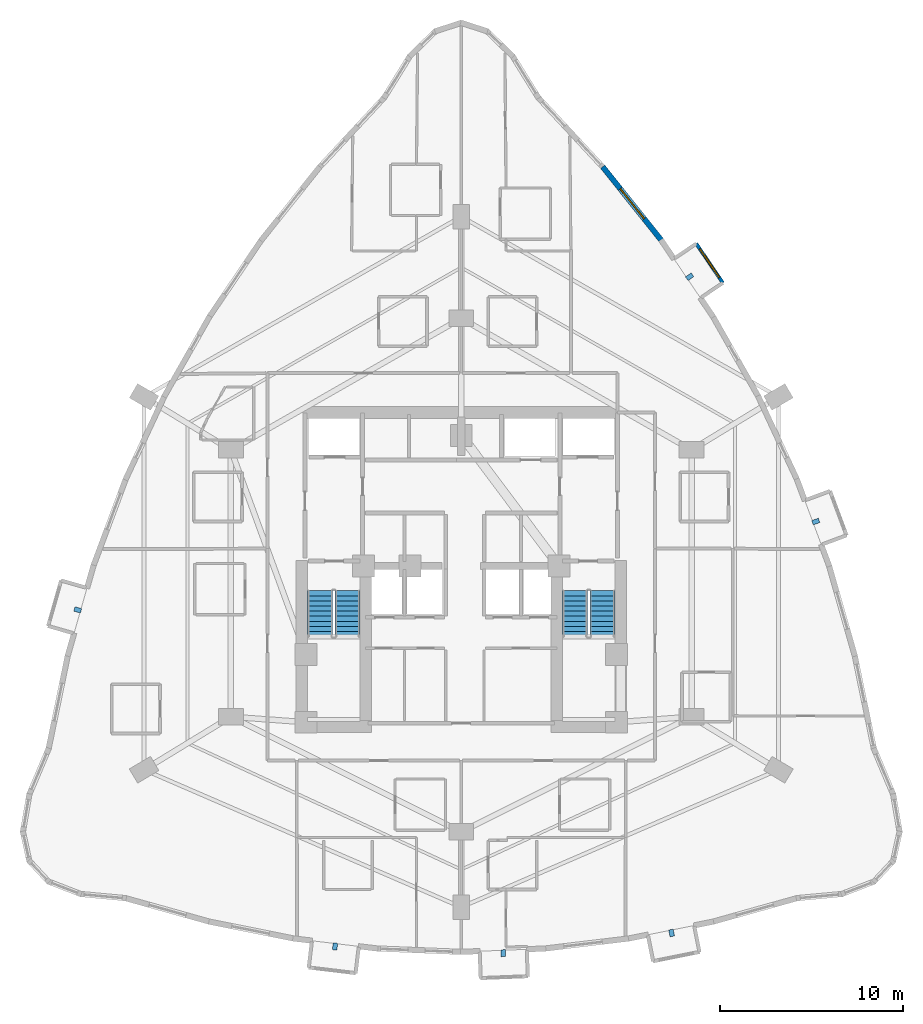
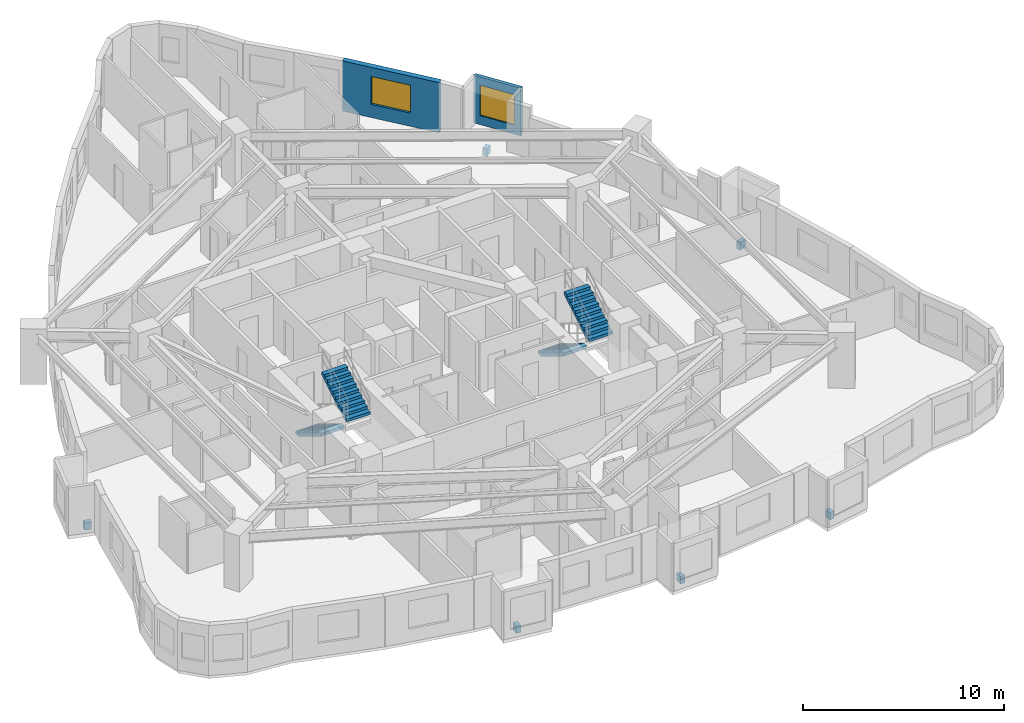
# One storey, part 12 of 13: 6 discrete accessories, 4 stair flights, 2 walls, 2 windows, 2 openings, 2 elements without a shape of their own.
"""IFC4 building model written with IfcOpenShell, lengths in metres."""

import ifcopenshell
import ifcopenshell.guid

model = None  # the IFC model being written
_history = None  # IfcOwnerHistory: only IFC2X3 demands one
_inside = {}  # id of a spatial element -> (the spatial element, [elements in it])
_under = {}  # id of a project, library or spatial element -> (it, [spatial elements below it])
_declared = {}  # id of a project -> (the project, [libraries it declares])
_typed = {}  # id of a type object -> (the type object, [elements of that type])
_made_of = {}  # id of a material, layer set ... -> (it, [elements and type objects made of it])


def new_model(schema):
    """Start an empty IFC model of exactly this schema.

    Asked for "IFC4X3", IfcOpenShell would pick the latest addendum, in which some entities
    have other attributes; the version numbers below select the first issue.
    IFC2X3 requires an IfcOwnerHistory on every rooted entity: one is made here for all.
    """
    global model, _history
    if schema == "IFC4X3":
        model = ifcopenshell.file(schema_version=(4, 3, 0, 0))
    else:
        model = ifcopenshell.file(schema=schema)
    _inside.clear()
    _under.clear()
    _declared.clear()
    _typed.clear()
    _made_of.clear()
    _history = None
    if model.schema == "IFC2X3":
        org = make("IfcOrganization", Name="unknown")
        user = make(
            "IfcPersonAndOrganization",
            ThePerson=make("IfcPerson", FamilyName="unknown"),
            TheOrganization=org,
        )
        app = make(
            "IfcApplication",
            ApplicationDeveloper=org,
            Version="unknown",
            ApplicationFullName="unknown",
            ApplicationIdentifier="unknown",
        )
        _history = make(
            "IfcOwnerHistory",
            OwningUser=user,
            OwningApplication=app,
            ChangeAction="ADDED",
            CreationDate=0,
        )
    return model


def make(cls, **values):
    """One entity of the class cls with the attributes given. An attribute that is None is left unset."""
    return model.create_entity(
        cls, **{name: value for name, value in values.items() if value is not None}
    )


def rooted(cls, **values):
    """An entity with a GlobalId (a new one), such as an element, a storey or a relation."""
    return make(cls, GlobalId=ifcopenshell.guid.new(), OwnerHistory=_history, **values)


def si_unit(unit_type, name, prefix=None):
    """IfcSIUnit, for example si_unit("LENGTHUNIT", "METRE", prefix="MILLI")."""
    return make("IfcSIUnit", UnitType=unit_type, Prefix=prefix, Name=name)


def assignment(units):
    """IfcUnitAssignment: the units of a project."""
    return None if units is None else make("IfcUnitAssignment", Units=units)


def point(xyz):
    """IfcCartesianPoint."""
    return None if xyz is None else make("IfcCartesianPoint", Coordinates=xyz)


def direction(xyz):
    """IfcDirection."""
    return None if xyz is None else make("IfcDirection", DirectionRatios=xyz)


def frame(location, z_axis=None, x_axis=None):
    """IfcAxis2Placement3D, a coordinate frame: its origin and axes. An axis left out is left unset."""
    return make(
        "IfcAxis2Placement3D",
        Location=point(location),
        Axis=direction(z_axis),
        RefDirection=direction(x_axis),
    )


def frame_2d(location, x_axis=None):
    """IfcAxis2Placement2D, a coordinate frame in the plane: its origin and x axis."""
    return make(
        "IfcAxis2Placement2D", Location=point(location), RefDirection=direction(x_axis)
    )


def origin():
    """The frame at (0, 0, 0) with its axes left unset."""
    return frame((0.0, 0.0, 0.0))


def origin_2d():
    """The frame at (0, 0) in the plane with its x axis left unset."""
    return frame_2d((0.0, 0.0))


def place(relative_to, where):
    """IfcLocalPlacement: puts the frame where relative to a parent placement (None: the world)."""
    return make(
        "IfcLocalPlacement", PlacementRelTo=relative_to, RelativePlacement=where
    )


def context(
    kind, dimensions, precision=None, world=None, true_north=None, identifier=None
):
    """IfcGeometricRepresentationContext, for example the 3D "Model" context."""
    return make(
        "IfcGeometricRepresentationContext",
        ContextIdentifier=identifier,
        ContextType=kind,
        CoordinateSpaceDimension=dimensions,
        Precision=precision,
        WorldCoordinateSystem=world,
        TrueNorth=true_north,
    )


def subcontext(parent, identifier, kind, view, scale=None):
    """IfcGeometricRepresentationSubContext, for example "Body" below "Model"."""
    return make(
        "IfcGeometricRepresentationSubContext",
        ContextIdentifier=identifier,
        ContextType=kind,
        ParentContext=parent,
        TargetScale=scale,
        TargetView=view,
    )


def project(units=None, contexts=None):
    """IfcProject with its units and contexts."""
    return rooted(
        "IfcProject",
        Name="project",
        RepresentationContexts=contexts,
        UnitsInContext=assignment(units),
    )


def spatial(cls, under=None, at=None, **own):
    """A site, building, storey or space (cls), placed at a placement, below another one or the project."""
    s = rooted(cls, ObjectPlacement=at, **own)
    if under is not None:
        _under.setdefault(under.id(), (under, []))[1].append(s)
    return s


def polyline(points):
    """IfcPolyline through the points."""
    return make("IfcPolyline", Points=[point(p) for p in points])


def profile(cls, at=None, kind="AREA", **sizes):
    """A parametric profile (cls). Its sizes go by their IFC names, for example OverallWidth=200.0."""
    return make(cls, ProfileType=kind, Position=at, **sizes)


def rectangle(**sizes):
    """IfcRectangleProfileDef."""
    return profile("IfcRectangleProfileDef", **sizes)


def outline(outer, holes=None, kind="AREA"):
    """IfcArbitraryClosedProfileDef: a profile drawn as a closed curve; with holes, ...WithVoids."""
    if holes is None:
        return make("IfcArbitraryClosedProfileDef", ProfileType=kind, OuterCurve=outer)
    return make(
        "IfcArbitraryProfileDefWithVoids",
        ProfileType=kind,
        OuterCurve=outer,
        InnerCurves=holes,
    )


def extrude(swept, where, along, depth):
    """IfcExtrudedAreaSolid: the profile swept, set in the frame where, extruded along a direction by depth."""
    return make(
        "IfcExtrudedAreaSolid",
        SweptArea=swept,
        Position=where,
        ExtrudedDirection=direction(along),
        Depth=depth,
    )


def shape(context_of_items, identifier, shape_type, items):
    """IfcShapeRepresentation: the items that make up one representation, for example the "Body"."""
    return make(
        "IfcShapeRepresentation",
        ContextOfItems=context_of_items,
        RepresentationIdentifier=identifier,
        RepresentationType=shape_type,
        Items=items,
    )


def material(Name=None, Category=None):
    """IfcMaterial."""
    return make("IfcMaterial", Name=Name, Category=Category)


def layer(
    of_material, thickness, ventilated=None, Name=None, Category=None, Priority=None
):
    """IfcMaterialLayer: one layer of a wall or slab, of a material (None: an air gap)."""
    return make(
        "IfcMaterialLayer",
        Material=of_material,
        LayerThickness=thickness,
        IsVentilated=ventilated,
        Name=Name,
        Category=Category,
        Priority=Priority,
    )


def layer_set(layers, Name=None):
    """IfcMaterialLayerSet."""
    return make("IfcMaterialLayerSet", MaterialLayers=layers, LayerSetName=Name)


def made_of(thing, what):
    """Note that an element or type object is made of a material, layer set ...; save() writes the relation."""
    if what is not None:
        _made_of.setdefault(what.id(), (what, []))[1].append(thing)
    return thing


def type_object(cls, material=None, **own):
    """A type object (cls), such as IfcWallType, which elements share."""
    return made_of(rooted(cls, **own), material)


def element(
    cls,
    number,
    at=None,
    inside=None,
    cuts=None,
    type_object=None,
    material=None,
    context=None,
    identifier="Body",
    shape_type=None,
    held_by="IfcProductDefinitionShape",
    body=None,
    shapes=None,
    **own,
):
    """One element of the class cls, such as IfcWall. Its Tag is "e" and its number.

    at: its placement. inside: the storey or other place that contains it. cuts: it is an
    opening in that element (IfcRelVoidsElement). A single representation is given by context,
    identifier, shape_type and body (its items); several are given by shapes. held_by: the class
    of the entity that holds the representations. save() writes the other relations.
    """
    e = rooted(cls, Tag="e%d" % number, ObjectPlacement=at, **own)
    if body is not None:
        shapes = [shape(context, identifier, shape_type, body)]
    if shapes is not None:
        e.Representation = make(held_by, Representations=shapes)
    if inside is not None:
        _inside.setdefault(inside.id(), (inside, []))[1].append(e)
    if cuts is not None:
        rooted(
            "IfcRelVoidsElement", RelatingBuildingElement=cuts, RelatedOpeningElement=e
        )
    if type_object is not None:
        _typed.setdefault(type_object.id(), (type_object, []))[1].append(e)
    return made_of(e, material)


def fill(opening, filler):
    """IfcRelFillsElement: the door or window that sits in an opening."""
    return rooted(
        "IfcRelFillsElement",
        RelatingOpeningElement=opening,
        RelatedBuildingElement=filler,
    )


def aggregate(whole, parts):
    """IfcRelAggregates: a whole, such as a stair, and the parts it consists of."""
    return rooted("IfcRelAggregates", RelatingObject=whole, RelatedObjects=parts)


def save(model, path):
    """Write the relations noted so far, then the file.

    IfcRelAggregates (storeys below a building ...), IfcRelContainedInSpatialStructure (elements
    in a storey), IfcRelDefinesByType, IfcRelAssociatesMaterial and IfcRelDeclares: one each for
    every whole, place, type object, material and project.
    """
    for whole, parts in _under.values():
        aggregate(whole, parts)
    for where, things in _inside.values():
        rooted(
            "IfcRelContainedInSpatialStructure",
            RelatedElements=things,
            RelatingStructure=where,
        )
    for kind, things in _typed.values():
        rooted("IfcRelDefinesByType", RelatedObjects=things, RelatingType=kind)
    for what, things in _made_of.values():
        rooted("IfcRelAssociatesMaterial", RelatedObjects=things, RelatingMaterial=what)
    for by, libraries in _declared.values():
        rooted("IfcRelDeclares", RelatingContext=by, RelatedDefinitions=libraries)
    model.write(path)


model = new_model("IFC4")

# Units and contexts
model_context = context("Model", 3, precision=1e-05, world=origin(), true_north=direction((0.0, 1.0)))
body_context = subcontext(model_context, "Body", "Model", "MODEL_VIEW")
ifc_project = project(units=[si_unit("LENGTHUNIT", "METRE"), si_unit("AREAUNIT", "SQUARE_METRE"), si_unit("VOLUMEUNIT", "CUBIC_METRE"), si_unit("PLANEANGLEUNIT", "RADIAN"), si_unit("MASSUNIT", "GRAM", prefix="KILO")], contexts=[model_context])

# Site, building, storey
site_placement = place(None, origin())
site = spatial("IfcSite", under=ifc_project, at=site_placement, CompositionType="ELEMENT")
building_placement = place(site_placement, origin())
building = spatial("IfcBuilding", under=site, at=building_placement, Name="Miruveldt Soraemaru", CompositionType="ELEMENT")
storey_placement = place(building_placement, frame((0.0, 0.0, 87.0)))
storey = spatial("IfcBuildingStorey", under=building, at=storey_placement, Name="L24", CompositionType="ELEMENT", Elevation=87.0)

# Wall, opening, window
ifc_material_1 = material(Name="White powder-coated aluminium EN AW-6060 T6", Category="aluminium")
ifc_layer_1 = layer(ifc_material_1, 0.18994140625, Name="White powder-coated aluminium EN AW-6060 T6", Category="aluminium")
ifc_layer_set_1 = layer_set([ifc_layer_1], Name="White powder-coated aluminium EN AW-6060 T6")
wall_type_1 = type_object("IfcWallType", Name="WALL-BAY-ALU190", PredefinedType="SOLIDWALL", material=ifc_layer_set_1)
wall_1_placement = place(storey_placement, frame((58.317626953125, 59.539794921875, 0.0), z_axis=(0.0, 0.0, 1.0), x_axis=(-0.560752637113, 0.827983381458, 0.0)))
wall_1 = element("IfcWall", 1, at=wall_1_placement, inside=storey, type_object=wall_type_1, Name="L24 Bay Window Front Frame 6", PredefinedType="SOLIDWALL", context=body_context, shape_type="SweptSolid", body=[
    extrude(rectangle(XDim=2.60009765625, YDim=0.18994140625, at=frame_2d((1.300048828125, 0.0))), origin(), (0.0, 0.0, 1.0), 2.89990234375),
])
opening_1_placement = place(wall_1_placement, frame((0.35009765625, 0.0, 0.550048828125)))
opening_1 = element("IfcOpeningElement", 2, at=opening_1_placement, cuts=wall_1, Name="Opening WN-6", PredefinedType="OPENING", context=body_context, shape_type="SweptSolid", body=[
    extrude(rectangle(XDim=1.89990234375, YDim=1.85009765625, at=frame_2d((0.949951171875, 0.925048828125))), frame((0.0, 0.10498046875, 0.0), z_axis=(0.0, -1.0, 0.0), x_axis=(1.0, 0.0, 0.0)), (0.0, 0.0, 1.0), 0.2099609375),
])
ifc_material_2 = material(Name="Triple low-e insulated glazing", Category="glass")
window_type_1 = type_object("IfcWindowType", Name="WIN-BAYW-1900x1850", PartitioningType="SINGLE_PANEL", PredefinedType="WINDOW", material=ifc_material_2)
window_1_placement = place(opening_1_placement, origin())
window_1 = element("IfcWindow", 3, at=window_1_placement, inside=storey, type_object=window_type_1, Name="L24 Projecting Bay Window 6", OverallHeight=1.85009765625, OverallWidth=1.89990234375, PartitioningType="SINGLE_PANEL", PredefinedType="WINDOW", context=body_context, shape_type="SweptSolid", body=[
    extrude(rectangle(XDim=1.89990234375, YDim=1.85009765625, at=frame_2d((0.949951171875, 0.925048828125))), frame((0.0, 0.030029296875, 0.0), z_axis=(0.0, -1.0, 0.0), x_axis=(1.0, 0.0, 0.0)), (0.0, 0.0, 1.0), 0.06005859375),
])
fill(opening_1, window_1)

ifc_material_3 = material(Name="Precast concrete C45/55 (45 MPa)", Category="concrete")
ifc_layer_2 = layer(ifc_material_3, 0.300048828125, Name="Precast concrete C45/55 (45 MPa)", Category="concrete")
ifc_layer_set_2 = layer_set([ifc_layer_2], Name="Precast concrete C45/55 (45 MPa)")
wall_type_2 = type_object("IfcWallType", Name="WALL-EXT-PC300", PredefinedType="SOLIDWALL", material=ifc_layer_set_2)
wall_2_placement = place(storey_placement, frame((54.969970703125, 61.847900390625, 0.0), z_axis=(0.0, 0.0, 1.0), x_axis=(-0.62357929542, 0.781760105354, 0.0)))
wall_2 = element("IfcWall", 4, at=wall_2_placement, inside=storey, type_object=wall_type_2, Name="L24 Precast Concrete Facade Wall 41", PredefinedType="SOLIDWALL", context=body_context, shape_type="SweptSolid", body=[
    extrude(rectangle(XDim=5.1796875, YDim=0.300048828125, at=frame_2d((2.58984375, 0.0))), origin(), (0.0, 0.0, 1.0), 3.050048828125),
])
opening_2_placement = place(wall_2_placement, frame((1.5400390625, 0.0, 0.800048828125)))
opening_2 = element("IfcOpeningElement", 5, at=opening_2_placement, cuts=wall_2, Name="Opening WN-1", PredefinedType="OPENING", context=body_context, shape_type="SweptSolid", body=[
    extrude(rectangle(XDim=2.10009765625, YDim=1.699951171875, at=frame_2d((1.050048828125, 0.85009765625))), frame((0.0, 0.16015625, 0.0), z_axis=(0.0, -1.0, 0.0), x_axis=(1.0, 0.0, 0.0)), (0.0, 0.0, 1.0), 0.320068359375),
])
window_type_2 = type_object("IfcWindowType", Name="WIN-PUNCH-2100x1700", PartitioningType="SINGLE_PANEL", PredefinedType="WINDOW", material=ifc_material_2)
window_2_placement = place(opening_2_placement, origin())
window_2 = element("IfcWindow", 6, at=window_2_placement, inside=storey, type_object=window_type_2, Name="L24 Punched Triple-Glazed Window 41.1", OverallHeight=1.699951171875, OverallWidth=2.10009765625, PartitioningType="SINGLE_PANEL", PredefinedType="WINDOW", context=body_context, shape_type="SweptSolid", body=[
    extrude(rectangle(XDim=2.10009765625, YDim=1.699951171875, at=frame_2d((1.050048828125, 0.85009765625))), frame((0.0, 0.030029296875, 0.0), z_axis=(0.0, -1.0, 0.0), x_axis=(1.0, 0.0, 0.0)), (0.0, 0.0, 1.0), 0.06005859375),
])
fill(opening_2, window_2)

# Stair, stair flights
ifc_material_4 = material(Name="Concrete C40/50 (40 MPa)", Category="concrete")
stair_type = type_object("IfcStairType", Name="STAIR-DL-340", PredefinedType="HALF_TURN_STAIR", material=ifc_material_4)
stair_1_placement = place(storey_placement, origin())
stair_1 = element("IfcStair", 7, at=stair_1_placement, inside=storey, type_object=stair_type, Name="L24 Protected Exit Stair ST-1", PredefinedType="HALF_TURN_STAIR")
stair_flight_type = type_object("IfcStairFlightType", Name="SFL-DL-340", PredefinedType="STRAIGHT", material=ifc_material_4)
stair_flight_1_placement = place(storey_placement, frame((36.27490234375, 42.699951171875, 0.0), z_axis=(0.0, 0.0, 1.0), x_axis=(0.0, -1.0, 0.0)))
stair_flight_1 = element("IfcStairFlight", 8, at=stair_flight_1_placement, type_object=stair_flight_type, Name="ST-1 flight 1", NumberOfRisers=10, NumberOfTreads=9, PredefinedType="STRAIGHT", RiserHeight=0.17, TreadLength=0.28, context=body_context, shape_type="SweptSolid", body=[
    extrude(outline(polyline([(0.0, 0.0), (0.0, 0.169921875), (0.280029296875, 0.169921875), (0.280029296875, 0.340087890625), (0.56005859375, 0.340087890625), (0.56005859375, 0.510009765625), (0.840087890625, 0.510009765625), (0.840087890625, 0.679931640625), (1.1201171875, 0.679931640625), (1.1201171875, 0.85009765625), (1.39990234375, 0.85009765625), (1.39990234375, 1.02001953125), (1.679931640625, 1.02001953125), (1.679931640625, 1.18994140625), (1.9599609375, 1.18994140625), (1.9599609375, 1.360107421875), (2.239990234375, 1.360107421875), (2.239990234375, 1.530029296875), (2.52001953125, 1.530029296875), (2.52001953125, 1.699951171875), (2.52001953125, 1.343017578125), (0.30810546875, 0.0), (0.0, 0.0)])), frame((0.0, 0.675048828125, 0.0), z_axis=(0.0, -1.0, 0.0), x_axis=(1.0, 0.0, 0.0)), (0.0, 0.0, 1.0), 1.35009765625),
])
stair_flight_2_placement = place(storey_placement, frame((37.77490234375, 40.179931640625, 1.699951171875), z_axis=(0.0, 0.0, 1.0), x_axis=(0.0, 1.0, 0.0)))
stair_flight_2 = element("IfcStairFlight", 9, at=stair_flight_2_placement, type_object=stair_flight_type, Name="ST-1 flight 2", NumberOfRisers=10, NumberOfTreads=9, PredefinedType="STRAIGHT", RiserHeight=0.17, TreadLength=0.28, context=body_context, shape_type="SweptSolid", body=[
    extrude(outline(polyline([(0.0, 0.0), (0.0, 0.169921875), (0.280029296875, 0.169921875), (0.280029296875, 0.340087890625), (0.56005859375, 0.340087890625), (0.56005859375, 0.510009765625), (0.840087890625, 0.510009765625), (0.840087890625, 0.679931640625), (1.1201171875, 0.679931640625), (1.1201171875, 0.85009765625), (1.39990234375, 0.85009765625), (1.39990234375, 1.02001953125), (1.679931640625, 1.02001953125), (1.679931640625, 1.18994140625), (1.9599609375, 1.18994140625), (1.9599609375, 1.360107421875), (2.239990234375, 1.360107421875), (2.239990234375, 1.530029296875), (2.52001953125, 1.530029296875), (2.52001953125, 1.699951171875), (2.52001953125, 1.343017578125), (0.30810546875, 0.0), (0.0, 0.0)])), frame((0.0, 0.675048828125, 0.0), z_axis=(0.0, -1.0, 0.0), x_axis=(1.0, 0.0, 0.0)), (0.0, 0.0, 1.0), 1.35009765625),
])
aggregate(stair_1, [stair_flight_1, stair_flight_2])

stair_2_placement = place(storey_placement, origin())
stair_2 = element("IfcStair", 10, at=stair_2_placement, inside=storey, type_object=stair_type, Name="L24 Protected Exit Stair ST-2", PredefinedType="HALF_TURN_STAIR")
stair_flight_3_placement = place(storey_placement, frame((50.22509765625, 42.699951171875, 0.0), z_axis=(0.0, 0.0, 1.0), x_axis=(0.0, -1.0, 0.0)))
stair_flight_3 = element("IfcStairFlight", 11, at=stair_flight_3_placement, type_object=stair_flight_type, Name="ST-2 flight 1", NumberOfRisers=10, NumberOfTreads=9, PredefinedType="STRAIGHT", RiserHeight=0.17, TreadLength=0.28, context=body_context, shape_type="SweptSolid", body=[
    extrude(outline(polyline([(0.0, 0.0), (0.0, 0.169921875), (0.280029296875, 0.169921875), (0.280029296875, 0.340087890625), (0.56005859375, 0.340087890625), (0.56005859375, 0.510009765625), (0.840087890625, 0.510009765625), (0.840087890625, 0.679931640625), (1.1201171875, 0.679931640625), (1.1201171875, 0.85009765625), (1.39990234375, 0.85009765625), (1.39990234375, 1.02001953125), (1.679931640625, 1.02001953125), (1.679931640625, 1.18994140625), (1.9599609375, 1.18994140625), (1.9599609375, 1.360107421875), (2.239990234375, 1.360107421875), (2.239990234375, 1.530029296875), (2.52001953125, 1.530029296875), (2.52001953125, 1.699951171875), (2.52001953125, 1.343017578125), (0.30810546875, 0.0), (0.0, 0.0)])), frame((0.0, 0.675048828125, 0.0), z_axis=(0.0, -1.0, 0.0), x_axis=(1.0, 0.0, 0.0)), (0.0, 0.0, 1.0), 1.35009765625),
])
stair_flight_4_placement = place(storey_placement, frame((51.72509765625, 40.179931640625, 1.699951171875), z_axis=(0.0, 0.0, 1.0), x_axis=(0.0, 1.0, 0.0)))
stair_flight_4 = element("IfcStairFlight", 12, at=stair_flight_4_placement, type_object=stair_flight_type, Name="ST-2 flight 2", NumberOfRisers=10, NumberOfTreads=9, PredefinedType="STRAIGHT", RiserHeight=0.17, TreadLength=0.28, context=body_context, shape_type="SweptSolid", body=[
    extrude(outline(polyline([(0.0, 0.0), (0.0, 0.169921875), (0.280029296875, 0.169921875), (0.280029296875, 0.340087890625), (0.56005859375, 0.340087890625), (0.56005859375, 0.510009765625), (0.840087890625, 0.510009765625), (0.840087890625, 0.679931640625), (1.1201171875, 0.679931640625), (1.1201171875, 0.85009765625), (1.39990234375, 0.85009765625), (1.39990234375, 1.02001953125), (1.679931640625, 1.02001953125), (1.679931640625, 1.18994140625), (1.9599609375, 1.18994140625), (1.9599609375, 1.360107421875), (2.239990234375, 1.360107421875), (2.239990234375, 1.530029296875), (2.52001953125, 1.530029296875), (2.52001953125, 1.699951171875), (2.52001953125, 1.343017578125), (0.30810546875, 0.0), (0.0, 0.0)])), frame((0.0, 0.675048828125, 0.0), z_axis=(0.0, -1.0, 0.0), x_axis=(1.0, 0.0, 0.0)), (0.0, 0.0, 1.0), 1.35009765625),
])
aggregate(stair_2, [stair_flight_3, stair_flight_4])

# Discrete accessories
ifc_material_5 = material(Name="Steel SM355 (355 MPa)", Category="steel")
discrete_accessory_type = type_object("IfcDiscreteAccessoryType", Name="ACC-BAY-BRK", PredefinedType="BRACKET", material=ifc_material_5)
for number, where, z_axis, x_axis, name in (
    (13, (23.01220703125, 41.648681640625, -0.72021484375), (0.0, 0.0, 1.0), (-0.961449093633, 0.274982981932, 0.0), "L24 Bay Window Cantilever Bracket 1"),
    (14, (37.093505859375, 23.229248046875, -0.72021484375), (0.0, 0.0, 1.0), (-0.119149147143, -0.992876367296, 0.0), "L24 Bay Window Cantilever Bracket 2"),
    (15, (46.302001953125, 22.861083984375, -0.72021484375), (0.0, 0.0, 1.0), (0.03997483895, -0.999200686675, 0.0), "L24 Bay Window Cantilever Bracket 3"),
    (16, (55.51025390625, 23.966064453125, -0.72021484375), (0.0, 0.0, 1.0), (0.196117290802, -0.980580444557, 0.0), "L24 Bay Window Cantilever Bracket 4"),
    (17, (63.400634765625, 46.4814453125, -0.72021484375), (0.0, 0.0, 1.0), (0.937117624721, 0.349013692334, 0.0), "L24 Bay Window Cantilever Bracket 5"),
    (18, (56.495849609375, 59.8759765625, -0.72021484375), (0.0, 0.0, 1.0), (0.827933108356, 0.560826861061, 0.0), "L24 Bay Window Cantilever Bracket 6"),
):
    element("IfcDiscreteAccessory", number, at=place(storey_placement, frame(where, z_axis=z_axis, x_axis=x_axis)), inside=storey, type_object=discrete_accessory_type, Name=name, PredefinedType="BRACKET", context=body_context, shape_type="SweptSolid", body=[
        extrude(rectangle(XDim=0.3798828125, YDim=0.25, at=origin_2d()), origin(), (0.0, 0.0, 1.0), 0.449951171875),
    ])

save(model, "model.ifc")
